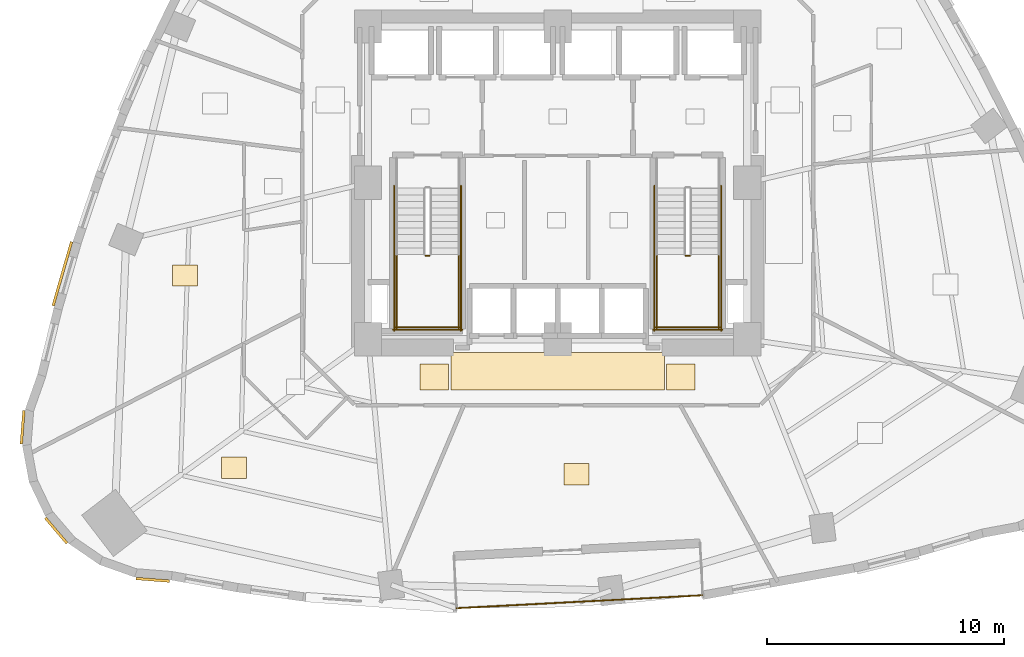
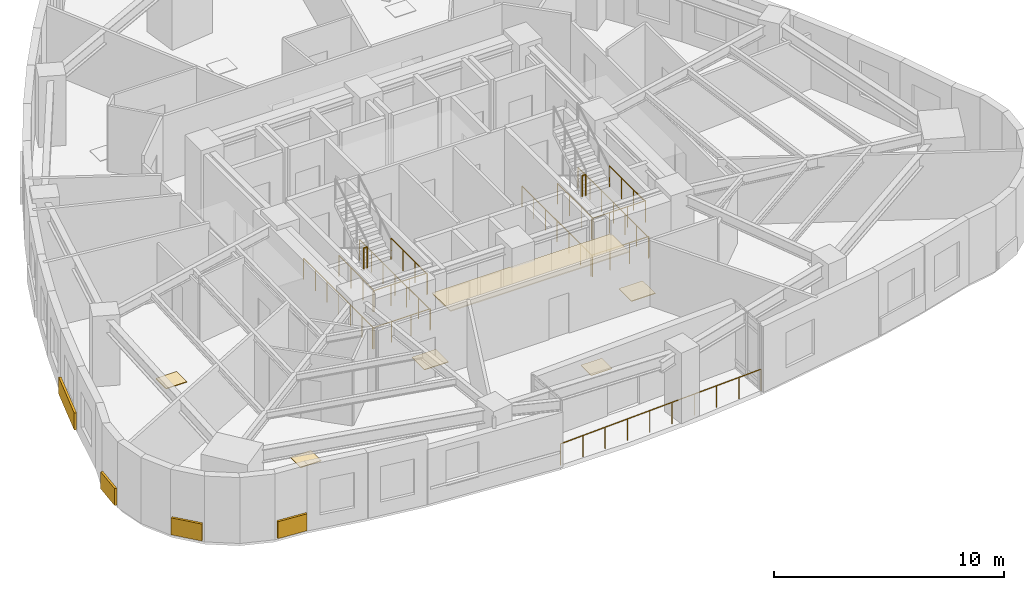
# One storey, part 9 of 11: 15 railings, 10 coverings.
"""IFC4 building model written with IfcOpenShell, lengths in metres."""

import ifcopenshell
import ifcopenshell.guid

model = None  # the IFC model being written
_history = None  # IfcOwnerHistory: only IFC2X3 demands one
_inside = {}  # id of a spatial element -> (the spatial element, [elements in it])
_under = {}  # id of a project, library or spatial element -> (it, [spatial elements below it])
_declared = {}  # id of a project -> (the project, [libraries it declares])
_typed = {}  # id of a type object -> (the type object, [elements of that type])
_made_of = {}  # id of a material, layer set ... -> (it, [elements and type objects made of it])


def new_model(schema):
    """Start an empty IFC model of exactly this schema.

    Asked for "IFC4X3", IfcOpenShell would pick the latest addendum, in which some entities
    have other attributes; the version numbers below select the first issue.
    IFC2X3 requires an IfcOwnerHistory on every rooted entity: one is made here for all.
    """
    global model, _history
    if schema == "IFC4X3":
        model = ifcopenshell.file(schema_version=(4, 3, 0, 0))
    else:
        model = ifcopenshell.file(schema=schema)
    _inside.clear()
    _under.clear()
    _declared.clear()
    _typed.clear()
    _made_of.clear()
    _history = None
    if model.schema == "IFC2X3":
        org = make("IfcOrganization", Name="unknown")
        user = make(
            "IfcPersonAndOrganization",
            ThePerson=make("IfcPerson", FamilyName="unknown"),
            TheOrganization=org,
        )
        app = make(
            "IfcApplication",
            ApplicationDeveloper=org,
            Version="unknown",
            ApplicationFullName="unknown",
            ApplicationIdentifier="unknown",
        )
        _history = make(
            "IfcOwnerHistory",
            OwningUser=user,
            OwningApplication=app,
            ChangeAction="ADDED",
            CreationDate=0,
        )
    return model


def make(cls, **values):
    """One entity of the class cls with the attributes given. An attribute that is None is left unset."""
    return model.create_entity(
        cls, **{name: value for name, value in values.items() if value is not None}
    )


def rooted(cls, **values):
    """An entity with a GlobalId (a new one), such as an element, a storey or a relation."""
    return make(cls, GlobalId=ifcopenshell.guid.new(), OwnerHistory=_history, **values)


def si_unit(unit_type, name, prefix=None):
    """IfcSIUnit, for example si_unit("LENGTHUNIT", "METRE", prefix="MILLI")."""
    return make("IfcSIUnit", UnitType=unit_type, Prefix=prefix, Name=name)


def assignment(units):
    """IfcUnitAssignment: the units of a project."""
    return None if units is None else make("IfcUnitAssignment", Units=units)


def point(xyz):
    """IfcCartesianPoint."""
    return None if xyz is None else make("IfcCartesianPoint", Coordinates=xyz)


def direction(xyz):
    """IfcDirection."""
    return None if xyz is None else make("IfcDirection", DirectionRatios=xyz)


def frame(location, z_axis=None, x_axis=None):
    """IfcAxis2Placement3D, a coordinate frame: its origin and axes. An axis left out is left unset."""
    return make(
        "IfcAxis2Placement3D",
        Location=point(location),
        Axis=direction(z_axis),
        RefDirection=direction(x_axis),
    )


def frame_2d(location, x_axis=None):
    """IfcAxis2Placement2D, a coordinate frame in the plane: its origin and x axis."""
    return make(
        "IfcAxis2Placement2D", Location=point(location), RefDirection=direction(x_axis)
    )


def origin():
    """The frame at (0, 0, 0) with its axes left unset."""
    return frame((0.0, 0.0, 0.0))


def origin_2d():
    """The frame at (0, 0) in the plane with its x axis left unset."""
    return frame_2d((0.0, 0.0))


def place(relative_to, where):
    """IfcLocalPlacement: puts the frame where relative to a parent placement (None: the world)."""
    return make(
        "IfcLocalPlacement", PlacementRelTo=relative_to, RelativePlacement=where
    )


def context(
    kind, dimensions, precision=None, world=None, true_north=None, identifier=None
):
    """IfcGeometricRepresentationContext, for example the 3D "Model" context."""
    return make(
        "IfcGeometricRepresentationContext",
        ContextIdentifier=identifier,
        ContextType=kind,
        CoordinateSpaceDimension=dimensions,
        Precision=precision,
        WorldCoordinateSystem=world,
        TrueNorth=true_north,
    )


def subcontext(parent, identifier, kind, view, scale=None):
    """IfcGeometricRepresentationSubContext, for example "Body" below "Model"."""
    return make(
        "IfcGeometricRepresentationSubContext",
        ContextIdentifier=identifier,
        ContextType=kind,
        ParentContext=parent,
        TargetScale=scale,
        TargetView=view,
    )


def project(units=None, contexts=None):
    """IfcProject with its units and contexts."""
    return rooted(
        "IfcProject",
        Name="project",
        RepresentationContexts=contexts,
        UnitsInContext=assignment(units),
    )


def spatial(cls, under=None, at=None, **own):
    """A site, building, storey or space (cls), placed at a placement, below another one or the project."""
    s = rooted(cls, ObjectPlacement=at, **own)
    if under is not None:
        _under.setdefault(under.id(), (under, []))[1].append(s)
    return s


def profile(cls, at=None, kind="AREA", **sizes):
    """A parametric profile (cls). Its sizes go by their IFC names, for example OverallWidth=200.0."""
    return make(cls, ProfileType=kind, Position=at, **sizes)


def rectangle(**sizes):
    """IfcRectangleProfileDef."""
    return profile("IfcRectangleProfileDef", **sizes)


def circle(**sizes):
    """IfcCircleProfileDef."""
    return profile("IfcCircleProfileDef", **sizes)


def extrude(swept, where, along, depth):
    """IfcExtrudedAreaSolid: the profile swept, set in the frame where, extruded along a direction by depth."""
    return make(
        "IfcExtrudedAreaSolid",
        SweptArea=swept,
        Position=where,
        ExtrudedDirection=direction(along),
        Depth=depth,
    )


def shape(context_of_items, identifier, shape_type, items):
    """IfcShapeRepresentation: the items that make up one representation, for example the "Body"."""
    return make(
        "IfcShapeRepresentation",
        ContextOfItems=context_of_items,
        RepresentationIdentifier=identifier,
        RepresentationType=shape_type,
        Items=items,
    )


def material(Name=None, Category=None):
    """IfcMaterial."""
    return make("IfcMaterial", Name=Name, Category=Category)


def layer(
    of_material, thickness, ventilated=None, Name=None, Category=None, Priority=None
):
    """IfcMaterialLayer: one layer of a wall or slab, of a material (None: an air gap)."""
    return make(
        "IfcMaterialLayer",
        Material=of_material,
        LayerThickness=thickness,
        IsVentilated=ventilated,
        Name=Name,
        Category=Category,
        Priority=Priority,
    )


def layer_set(layers, Name=None):
    """IfcMaterialLayerSet."""
    return make("IfcMaterialLayerSet", MaterialLayers=layers, LayerSetName=Name)


def made_of(thing, what):
    """Note that an element or type object is made of a material, layer set ...; save() writes the relation."""
    if what is not None:
        _made_of.setdefault(what.id(), (what, []))[1].append(thing)
    return thing


def type_object(cls, material=None, **own):
    """A type object (cls), such as IfcWallType, which elements share."""
    return made_of(rooted(cls, **own), material)


def element(
    cls,
    number,
    at=None,
    inside=None,
    cuts=None,
    type_object=None,
    material=None,
    context=None,
    identifier="Body",
    shape_type=None,
    held_by="IfcProductDefinitionShape",
    body=None,
    shapes=None,
    **own,
):
    """One element of the class cls, such as IfcWall. Its Tag is "e" and its number.

    at: its placement. inside: the storey or other place that contains it. cuts: it is an
    opening in that element (IfcRelVoidsElement). A single representation is given by context,
    identifier, shape_type and body (its items); several are given by shapes. held_by: the class
    of the entity that holds the representations. save() writes the other relations.
    """
    e = rooted(cls, Tag="e%d" % number, ObjectPlacement=at, **own)
    if body is not None:
        shapes = [shape(context, identifier, shape_type, body)]
    if shapes is not None:
        e.Representation = make(held_by, Representations=shapes)
    if inside is not None:
        _inside.setdefault(inside.id(), (inside, []))[1].append(e)
    if cuts is not None:
        rooted(
            "IfcRelVoidsElement", RelatingBuildingElement=cuts, RelatedOpeningElement=e
        )
    if type_object is not None:
        _typed.setdefault(type_object.id(), (type_object, []))[1].append(e)
    return made_of(e, material)


def aggregate(whole, parts):
    """IfcRelAggregates: a whole, such as a stair, and the parts it consists of."""
    return rooted("IfcRelAggregates", RelatingObject=whole, RelatedObjects=parts)


def save(model, path):
    """Write the relations noted so far, then the file.

    IfcRelAggregates (storeys below a building ...), IfcRelContainedInSpatialStructure (elements
    in a storey), IfcRelDefinesByType, IfcRelAssociatesMaterial and IfcRelDeclares: one each for
    every whole, place, type object, material and project.
    """
    for whole, parts in _under.values():
        aggregate(whole, parts)
    for where, things in _inside.values():
        rooted(
            "IfcRelContainedInSpatialStructure",
            RelatedElements=things,
            RelatingStructure=where,
        )
    for kind, things in _typed.values():
        rooted("IfcRelDefinesByType", RelatedObjects=things, RelatingType=kind)
    for what, things in _made_of.values():
        rooted("IfcRelAssociatesMaterial", RelatedObjects=things, RelatingMaterial=what)
    for by, libraries in _declared.values():
        rooted("IfcRelDeclares", RelatingContext=by, RelatedDefinitions=libraries)
    model.write(path)


model = new_model("IFC4")

# Units and contexts
model_context = context("Model", 3, precision=1e-05, world=origin(), true_north=direction((0.0, 1.0)))
body_context = subcontext(model_context, "Body", "Model", "MODEL_VIEW")
ifc_project = project(units=[si_unit("LENGTHUNIT", "METRE"), si_unit("AREAUNIT", "SQUARE_METRE"), si_unit("VOLUMEUNIT", "CUBIC_METRE"), si_unit("PLANEANGLEUNIT", "RADIAN"), si_unit("MASSUNIT", "GRAM", prefix="KILO")], contexts=[model_context])

# Site, building, storey
site_placement = place(None, origin())
site = spatial("IfcSite", under=ifc_project, at=site_placement, CompositionType="ELEMENT")
building_placement = place(site_placement, origin())
building = spatial("IfcBuilding", under=site, at=building_placement, Name="Ndelora Gate Hotel", CompositionType="ELEMENT")
storey_placement = place(building_placement, frame((0.0, 0.0, 45.5)))
storey = spatial("IfcBuildingStorey", under=building, at=storey_placement, Name="L10", CompositionType="ELEMENT", Elevation=45.5)

# Coverings
ifc_material_1 = material(Name="Perforated Acoustic Gypsum Board", Category="gypsum")
ifc_layer_1 = layer(ifc_material_1, 0.054931640625)
ifc_layer_set_1 = layer_set([ifc_layer_1], Name="Perforated Acoustic Gypsum Board")
covering_type_1 = type_object("IfcCoveringType", Name="COV-CEIL-AC60", PredefinedType="CEILING", material=ifc_layer_set_1)
covering_1_placement = place(storey_placement, frame((0.0, -7.9599609375, 2.65234375), z_axis=(0.0, 0.0, 1.0), x_axis=(1.0, 0.0, 0.0)))
element("IfcCovering", 1, at=covering_1_placement, inside=storey, type_object=covering_type_1, Name="L10 Guest Corridor Acoustic Ceiling S", PredefinedType="CEILING", context=body_context, shape_type="SweptSolid", body=[
    extrude(rectangle(XDim=9.0, YDim=1.580078125, at=origin_2d()), origin(), (0.0, 0.0, 1.0), 0.054931640625),
])
ifc_material_2 = material(Name="Terracotta Fired Clay Brick Slip Cladding", Category="masonry")
ifc_layer_2 = layer(ifc_material_2, 0.110107421875)
ifc_layer_set_2 = layer_set([ifc_layer_2], Name="Terracotta Fired Clay Brick Slip Cladding")
covering_type_2 = type_object("IfcCoveringType", Name="COV-CLAD-BRK", PredefinedType="CLADDING", material=ifc_layer_set_2)
covering_2_placement = place(storey_placement, frame((-20.9013671875, -3.839111328125, 0.10009765625), z_axis=(0.0, 0.0, 1.0), x_axis=(0.277482336674, 0.960730738987, 0.0)))
element("IfcCovering", 2, at=covering_2_placement, inside=storey, type_object=covering_type_2, Name="L10 Rounded-Corner Brick Cladding Band 19", PredefinedType="CLADDING", context=body_context, shape_type="SweptSolid", body=[
    extrude(rectangle(XDim=2.81103515625, YDim=0.110107421875, at=origin_2d()), origin(), (0.0, 0.0, 1.0), 0.89990234375),
])
for number, where, z_axis, x_axis, name in (
    (3, (-22.57763671875, -10.318603515625, 0.10009765625), (0.0, 0.0, 1.0), (0.078459095728, 0.996917333733, 0.0), "L10 Rounded-Corner Brick Cladding Band 22"),
    (4, (-21.16259765625, -14.67431640625, 0.10009765625), (0.0, 0.0, 1.0), (-0.64944804833, 0.7604059656, 0.0), "L10 Rounded-Corner Brick Cladding Band 25"),
    (5, (-17.081787109375, -16.753662109375, 0.10009765625), (0.0, 0.0, 1.0), (-0.996917333733, 0.078459095728, 0.0), "L10 Rounded-Corner Brick Cladding Band 28"),
):
    element("IfcCovering", number, at=place(storey_placement, frame(where, z_axis=z_axis, x_axis=x_axis)), inside=storey, type_object=covering_type_2, Name=name, PredefinedType="CLADDING", context=body_context, shape_type="SweptSolid", body=[
        extrude(rectangle(XDim=1.4140625, YDim=0.110107421875, at=origin_2d()), origin(), (0.0, 0.0, 1.0), 0.89990234375),
    ])
ifc_material_3 = material(Name="Engineered Highland Oak Parquet", Category="wood")
ifc_layer_3 = layer(ifc_material_3, 0.030029296875)
ifc_layer_set_3 = layer_set([ifc_layer_3], Name="Engineered Highland Oak Parquet")
covering_type_3 = type_object("IfcCoveringType", Name="COV-FLR-PARQ", PredefinedType="FLOORING", material=ifc_layer_set_3)
for number, where, z_axis, x_axis, name in (
    (6, (-15.7294921875, -3.9150390625, 0.0), (0.0, 0.0, 1.0), (1.0, 0.0, 0.0), "L10 Executive King Junior Suite 1301 Oak Parquet Flooring"),
    (7, (-13.653564453125, -12.023681640625, 0.0), (0.0, 0.0, 1.0), (1.0, 0.0, 0.0), "L10 Corner Diplomatic Suite 1302 Oak Parquet Flooring"),
    (8, (0.79541015625, -12.294189453125, 0.0), (0.0, 0.0, 1.0), (1.0, 0.0, 0.0), "L10 Sky Garden Tea Dining Room Oak Parquet Flooring"),
):
    element("IfcCovering", number, at=place(storey_placement, frame(where, z_axis=z_axis, x_axis=x_axis)), inside=storey, type_object=covering_type_3, Name=name, PredefinedType="FLOORING", context=body_context, shape_type="SweptSolid", body=[
        extrude(rectangle(XDim=1.050048828125, YDim=0.89990234375, at=origin_2d()), origin(), (0.0, 0.0, 1.0), 0.030029296875),
    ])
ifc_material_4 = material(Name="Polished Highland Stone Terrazzo", Category="masonry")
ifc_layer_4 = layer(ifc_material_4, 0.034912109375)
ifc_layer_set_4 = layer_set([ifc_layer_4], Name="Polished Highland Stone Terrazzo")
covering_type_4 = type_object("IfcCoveringType", Name="COV-FLR-TERZ", PredefinedType="FLOORING", material=ifc_layer_set_4)
for number, where, z_axis, x_axis, name in (
    (9, (-5.199951171875, -8.199951171875, 0.0), (0.0, 0.0, 1.0), (1.0, 0.0, 0.0), "L10 Corridor Threshold Terrazzo Inlay SW"),
    (10, (5.199951171875, -8.199951171875, 0.0), (0.0, 0.0, 1.0), (1.0, 0.0, 0.0), "L10 Corridor Threshold Terrazzo Inlay SE"),
):
    element("IfcCovering", number, at=place(storey_placement, frame(where, z_axis=z_axis, x_axis=x_axis)), inside=storey, type_object=covering_type_4, Name=name, PredefinedType="FLOORING", context=body_context, shape_type="SweptSolid", body=[
        extrude(rectangle(XDim=1.199951171875, YDim=1.10009765625, at=origin_2d()), origin(), (0.0, 0.0, 1.0), 0.034912109375),
    ])

# Railings
ifc_material_5 = material(Name="Laminated Safety Glass and Bronze Top Rail", Category="glass")
ifc_layer_5 = layer(ifc_material_5, 0.070068359375)
ifc_layer_set_5 = layer_set([ifc_layer_5], Name="Laminated Safety Glass and Bronze Top Rail")
railing_type_1 = type_object("IfcRailingType", Name="RL-BAL-1150", PredefinedType="BALUSTRADE", material=ifc_layer_set_5)
railing_1_placement = place(storey_placement, frame((-4.266357421875, -17.94970703125, 0.0)))
element("IfcRailing", 11, at=railing_1_placement, inside=storey, type_object=railing_type_1, Name="L10 Sky-Garden Loggia Terrace Balustrade", PredefinedType="BALUSTRADE", context=body_context, shape_type="SweptSolid", body=[
    extrude(circle(Radius=0.02392578125, at=origin_2d()), frame((0.0, 0.0, 1.1357421875), z_axis=(0.998630058509, 0.052325961458, 0.0), x_axis=(-0.052325961458, 0.998630058509, 0.0)), (0.0, 0.0, 1.0), 10.39990234375),
    extrude(circle(Radius=0.02099609375, at=origin_2d()), origin(), (0.0, 0.0, 1.0), 1.11181640625),
    extrude(circle(Radius=0.02099609375, at=origin_2d()), frame((1.154052734375, 0.060546875, 0.0)), (0.0, 0.0, 1.0), 1.11181640625),
    extrude(circle(Radius=0.02099609375, at=origin_2d()), frame((2.307861328125, 0.120849609375, 0.0)), (0.0, 0.0, 1.0), 1.11181640625),
    extrude(circle(Radius=0.02099609375, at=origin_2d()), frame((3.4619140625, 0.181396484375, 0.0)), (0.0, 0.0, 1.0), 1.11181640625),
    extrude(circle(Radius=0.02099609375, at=origin_2d()), frame((4.615966796875, 0.241943359375, 0.0)), (0.0, 0.0, 1.0), 1.11181640625),
    extrude(circle(Radius=0.02099609375, at=origin_2d()), frame((5.769775390625, 0.30224609375, 0.0)), (0.0, 0.0, 1.0), 1.11181640625),
    extrude(circle(Radius=0.02099609375, at=origin_2d()), frame((6.923828125, 0.36279296875, 0.0)), (0.0, 0.0, 1.0), 1.11181640625),
    extrude(circle(Radius=0.02099609375, at=origin_2d()), frame((8.077880859375, 0.42333984375, 0.0)), (0.0, 0.0, 1.0), 1.11181640625),
    extrude(circle(Radius=0.02099609375, at=origin_2d()), frame((9.231689453125, 0.483642578125, 0.0)), (0.0, 0.0, 1.0), 1.11181640625),
    extrude(circle(Radius=0.02099609375, at=origin_2d()), frame((10.3857421875, 0.544189453125, 0.0)), (0.0, 0.0, 1.0), 1.11181640625),
])
ifc_material_6 = material(Name="Painted Galvanized Steel Balustrade", Category="steel")
ifc_layer_6 = layer(ifc_material_6, 0.06005859375)
ifc_layer_set_6 = layer_set([ifc_layer_6], Name="Painted Galvanized Steel Balustrade")
railing_type_2 = type_object("IfcRailingType", Name="RL-STAIR-GD", PredefinedType="GUARDRAIL", material=ifc_layer_set_6)
railing_2_placement = place(storey_placement, frame((-5.570068359375, -3.080078125, 1.875)))
element("IfcRailing", 12, at=railing_2_placement, inside=storey, type_object=railing_type_2, Name="L10 ST4 stair guard 2", PredefinedType="GUARDRAIL", context=body_context, shape_type="SweptSolid", body=[
    extrude(circle(Radius=0.02392578125, at=origin_2d()), frame((0.0, 0.0, 1.10595703125), z_axis=(1.0, 0.0, 0.0), x_axis=(0.0, 1.0, 0.0)), (0.0, 0.0, 1.0), 0.16015625),
    extrude(circle(Radius=0.02099609375, at=origin_2d()), origin(), (0.0, 0.0, 1.0), 1.081787109375),
    extrude(circle(Radius=0.02099609375, at=origin_2d()), frame((0.16015625, 0.0, 0.0)), (0.0, 0.0, 1.0), 1.081787109375),
])
for number, where, name in (
    (13, (-6.800048828125, -3.030029296875, 1.875), "L10 ST4 stair guard 3"),
    (14, (-4.179931640625, -3.030029296875, 1.875), "L10 ST4 stair guard 4"),
):
    element("IfcRailing", number, at=place(storey_placement, frame(where)), inside=storey, type_object=railing_type_2, Name=name, PredefinedType="GUARDRAIL", context=body_context, shape_type="SweptSolid", body=[
        extrude(circle(Radius=0.02392578125, at=origin_2d()), frame((0.0, 0.0, 1.10595703125), z_axis=(0.0, -1.0, 0.0), x_axis=(1.0, 0.0, 0.0)), (0.0, 0.0, 1.0), 3.119873046875),
        extrude(circle(Radius=0.02099609375, at=origin_2d()), origin(), (0.0, 0.0, 1.0), 1.081787109375),
        extrude(circle(Radius=0.02099609375, at=origin_2d()), frame((0.0, -1.0400390625, 0.0)), (0.0, 0.0, 1.0), 1.081787109375),
        extrude(circle(Radius=0.02099609375, at=origin_2d()), frame((0.0, -2.079833984375, 0.0)), (0.0, 0.0, 1.0), 1.081787109375),
        extrude(circle(Radius=0.02099609375, at=origin_2d()), frame((0.0, -3.119873046875, 0.0)), (0.0, 0.0, 1.0), 1.081787109375),
    ])
railing_3_placement = place(storey_placement, frame((-6.85009765625, -6.10009765625, 1.875)))
element("IfcRailing", 15, at=railing_3_placement, inside=storey, type_object=railing_type_2, Name="L10 ST4 stair guard 5", PredefinedType="GUARDRAIL", context=body_context, shape_type="SweptSolid", body=[
    extrude(circle(Radius=0.02392578125, at=origin_2d()), frame((0.0, 0.0, 1.10595703125), z_axis=(1.0, 0.0, 0.0), x_axis=(0.0, 1.0, 0.0)), (0.0, 0.0, 1.0), 2.72021484375),
    extrude(circle(Radius=0.02099609375, at=origin_2d()), origin(), (0.0, 0.0, 1.0), 1.081787109375),
    extrude(circle(Radius=0.02099609375, at=origin_2d()), frame((0.90673828125, 0.0, 0.0)), (0.0, 0.0, 1.0), 1.081787109375),
    extrude(circle(Radius=0.02099609375, at=origin_2d()), frame((1.8134765625, 0.0, 0.0)), (0.0, 0.0, 1.0), 1.081787109375),
    extrude(circle(Radius=0.02099609375, at=origin_2d()), frame((2.72021484375, 0.0, 0.0)), (0.0, 0.0, 1.0), 1.081787109375),
])
for number, where, name in (
    (16, (-6.89990234375, -0.1298828125, 0.0), "L10 ST4 stair guard 10"),
    (17, (-4.080078125, -0.1298828125, 0.0), "L10 ST4 stair guard 11"),
):
    element("IfcRailing", number, at=place(storey_placement, frame(where)), inside=storey, type_object=railing_type_2, Name=name, PredefinedType="GUARDRAIL", context=body_context, shape_type="SweptSolid", body=[
        extrude(circle(Radius=0.02392578125, at=origin_2d()), frame((0.0, 0.0, 1.10595703125), z_axis=(0.0, -1.0, 0.0), x_axis=(1.0, 0.0, 0.0)), (0.0, 0.0, 1.0), 6.1201171875),
        extrude(circle(Radius=0.02099609375, at=origin_2d()), origin(), (0.0, 0.0, 1.0), 1.081787109375),
        extrude(circle(Radius=0.02099609375, at=origin_2d()), frame((0.0, -1.02001953125, 0.0)), (0.0, 0.0, 1.0), 1.081787109375),
        extrude(circle(Radius=0.02099609375, at=origin_2d()), frame((0.0, -2.0400390625, 0.0)), (0.0, 0.0, 1.0), 1.081787109375),
        extrude(circle(Radius=0.02099609375, at=origin_2d()), frame((0.0, -3.06005859375, 0.0)), (0.0, 0.0, 1.0), 1.081787109375),
        extrude(circle(Radius=0.02099609375, at=origin_2d()), frame((0.0, -4.080078125, 0.0)), (0.0, 0.0, 1.0), 1.081787109375),
        extrude(circle(Radius=0.02099609375, at=origin_2d()), frame((0.0, -5.10009765625, 0.0)), (0.0, 0.0, 1.0), 1.081787109375),
        extrude(circle(Radius=0.02099609375, at=origin_2d()), frame((0.0, -6.1201171875, 0.0)), (0.0, 0.0, 1.0), 1.081787109375),
    ])
railing_4_placement = place(storey_placement, frame((-6.949951171875, -6.199951171875, 0.0)))
element("IfcRailing", 18, at=railing_4_placement, inside=storey, type_object=railing_type_2, Name="L10 ST4 stair guard 12", PredefinedType="GUARDRAIL", context=body_context, shape_type="SweptSolid", body=[
    extrude(circle(Radius=0.02392578125, at=origin_2d()), frame((0.0, 0.0, 1.10595703125), z_axis=(1.0, 0.0, 0.0), x_axis=(0.0, 1.0, 0.0)), (0.0, 0.0, 1.0), 2.919921875),
    extrude(circle(Radius=0.02099609375, at=origin_2d()), origin(), (0.0, 0.0, 1.0), 1.081787109375),
    extrude(circle(Radius=0.02099609375, at=origin_2d()), frame((0.973388671875, 0.0, 0.0)), (0.0, 0.0, 1.0), 1.081787109375),
    extrude(circle(Radius=0.02099609375, at=origin_2d()), frame((1.946533203125, 0.0, 0.0)), (0.0, 0.0, 1.0), 1.081787109375),
    extrude(circle(Radius=0.02099609375, at=origin_2d()), frame((2.919921875, 0.0, 0.0)), (0.0, 0.0, 1.0), 1.081787109375),
])
railing_5_placement = place(storey_placement, frame((5.409912109375, -3.080078125, 1.875)))
element("IfcRailing", 19, at=railing_5_placement, inside=storey, type_object=railing_type_2, Name="L10 ST5 stair guard 2", PredefinedType="GUARDRAIL", context=body_context, shape_type="SweptSolid", body=[
    extrude(circle(Radius=0.02392578125, at=origin_2d()), frame((0.0, 0.0, 1.10595703125), z_axis=(1.0, 0.0, 0.0), x_axis=(0.0, 1.0, 0.0)), (0.0, 0.0, 1.0), 0.16015625),
    extrude(circle(Radius=0.02099609375, at=origin_2d()), origin(), (0.0, 0.0, 1.0), 1.081787109375),
    extrude(circle(Radius=0.02099609375, at=origin_2d()), frame((0.16015625, 0.0, 0.0)), (0.0, 0.0, 1.0), 1.081787109375),
])
for number, where, name in (
    (20, (4.179931640625, -3.030029296875, 1.875), "L10 ST5 stair guard 3"),
    (21, (6.800048828125, -3.030029296875, 1.875), "L10 ST5 stair guard 4"),
):
    element("IfcRailing", number, at=place(storey_placement, frame(where)), inside=storey, type_object=railing_type_2, Name=name, PredefinedType="GUARDRAIL", context=body_context, shape_type="SweptSolid", body=[
        extrude(circle(Radius=0.02392578125, at=origin_2d()), frame((0.0, 0.0, 1.10595703125), z_axis=(0.0, -1.0, 0.0), x_axis=(1.0, 0.0, 0.0)), (0.0, 0.0, 1.0), 3.119873046875),
        extrude(circle(Radius=0.02099609375, at=origin_2d()), origin(), (0.0, 0.0, 1.0), 1.081787109375),
        extrude(circle(Radius=0.02099609375, at=origin_2d()), frame((0.0, -1.0400390625, 0.0)), (0.0, 0.0, 1.0), 1.081787109375),
        extrude(circle(Radius=0.02099609375, at=origin_2d()), frame((0.0, -2.079833984375, 0.0)), (0.0, 0.0, 1.0), 1.081787109375),
        extrude(circle(Radius=0.02099609375, at=origin_2d()), frame((0.0, -3.119873046875, 0.0)), (0.0, 0.0, 1.0), 1.081787109375),
    ])
railing_6_placement = place(storey_placement, frame((4.1298828125, -6.10009765625, 1.875)))
element("IfcRailing", 22, at=railing_6_placement, inside=storey, type_object=railing_type_2, Name="L10 ST5 stair guard 5", PredefinedType="GUARDRAIL", context=body_context, shape_type="SweptSolid", body=[
    extrude(circle(Radius=0.02392578125, at=origin_2d()), frame((0.0, 0.0, 1.10595703125), z_axis=(1.0, 0.0, 0.0), x_axis=(0.0, 1.0, 0.0)), (0.0, 0.0, 1.0), 2.72021484375),
    extrude(circle(Radius=0.02099609375, at=origin_2d()), origin(), (0.0, 0.0, 1.0), 1.081787109375),
    extrude(circle(Radius=0.02099609375, at=origin_2d()), frame((0.90673828125, 0.0, 0.0)), (0.0, 0.0, 1.0), 1.081787109375),
    extrude(circle(Radius=0.02099609375, at=origin_2d()), frame((1.8134765625, 0.0, 0.0)), (0.0, 0.0, 1.0), 1.081787109375),
    extrude(circle(Radius=0.02099609375, at=origin_2d()), frame((2.72021484375, 0.0, 0.0)), (0.0, 0.0, 1.0), 1.081787109375),
])
for number, where, name in (
    (23, (4.080078125, -0.1298828125, 0.0), "L10 ST5 stair guard 10"),
    (24, (6.89990234375, -0.1298828125, 0.0), "L10 ST5 stair guard 11"),
):
    element("IfcRailing", number, at=place(storey_placement, frame(where)), inside=storey, type_object=railing_type_2, Name=name, PredefinedType="GUARDRAIL", context=body_context, shape_type="SweptSolid", body=[
        extrude(circle(Radius=0.02392578125, at=origin_2d()), frame((0.0, 0.0, 1.10595703125), z_axis=(0.0, -1.0, 0.0), x_axis=(1.0, 0.0, 0.0)), (0.0, 0.0, 1.0), 6.1201171875),
        extrude(circle(Radius=0.02099609375, at=origin_2d()), origin(), (0.0, 0.0, 1.0), 1.081787109375),
        extrude(circle(Radius=0.02099609375, at=origin_2d()), frame((0.0, -1.02001953125, 0.0)), (0.0, 0.0, 1.0), 1.081787109375),
        extrude(circle(Radius=0.02099609375, at=origin_2d()), frame((0.0, -2.0400390625, 0.0)), (0.0, 0.0, 1.0), 1.081787109375),
        extrude(circle(Radius=0.02099609375, at=origin_2d()), frame((0.0, -3.06005859375, 0.0)), (0.0, 0.0, 1.0), 1.081787109375),
        extrude(circle(Radius=0.02099609375, at=origin_2d()), frame((0.0, -4.080078125, 0.0)), (0.0, 0.0, 1.0), 1.081787109375),
        extrude(circle(Radius=0.02099609375, at=origin_2d()), frame((0.0, -5.10009765625, 0.0)), (0.0, 0.0, 1.0), 1.081787109375),
        extrude(circle(Radius=0.02099609375, at=origin_2d()), frame((0.0, -6.1201171875, 0.0)), (0.0, 0.0, 1.0), 1.081787109375),
    ])
railing_7_placement = place(storey_placement, frame((4.030029296875, -6.199951171875, 0.0)))
element("IfcRailing", 25, at=railing_7_placement, inside=storey, type_object=railing_type_2, Name="L10 ST5 stair guard 12", PredefinedType="GUARDRAIL", context=body_context, shape_type="SweptSolid", body=[
    extrude(circle(Radius=0.02392578125, at=origin_2d()), frame((0.0, 0.0, 1.10595703125), z_axis=(1.0, 0.0, 0.0), x_axis=(0.0, 1.0, 0.0)), (0.0, 0.0, 1.0), 2.919921875),
    extrude(circle(Radius=0.02099609375, at=origin_2d()), origin(), (0.0, 0.0, 1.0), 1.081787109375),
    extrude(circle(Radius=0.02099609375, at=origin_2d()), frame((0.973388671875, 0.0, 0.0)), (0.0, 0.0, 1.0), 1.081787109375),
    extrude(circle(Radius=0.02099609375, at=origin_2d()), frame((1.946533203125, 0.0, 0.0)), (0.0, 0.0, 1.0), 1.081787109375),
    extrude(circle(Radius=0.02099609375, at=origin_2d()), frame((2.919921875, 0.0, 0.0)), (0.0, 0.0, 1.0), 1.081787109375),
])

save(model, "model.ifc")
